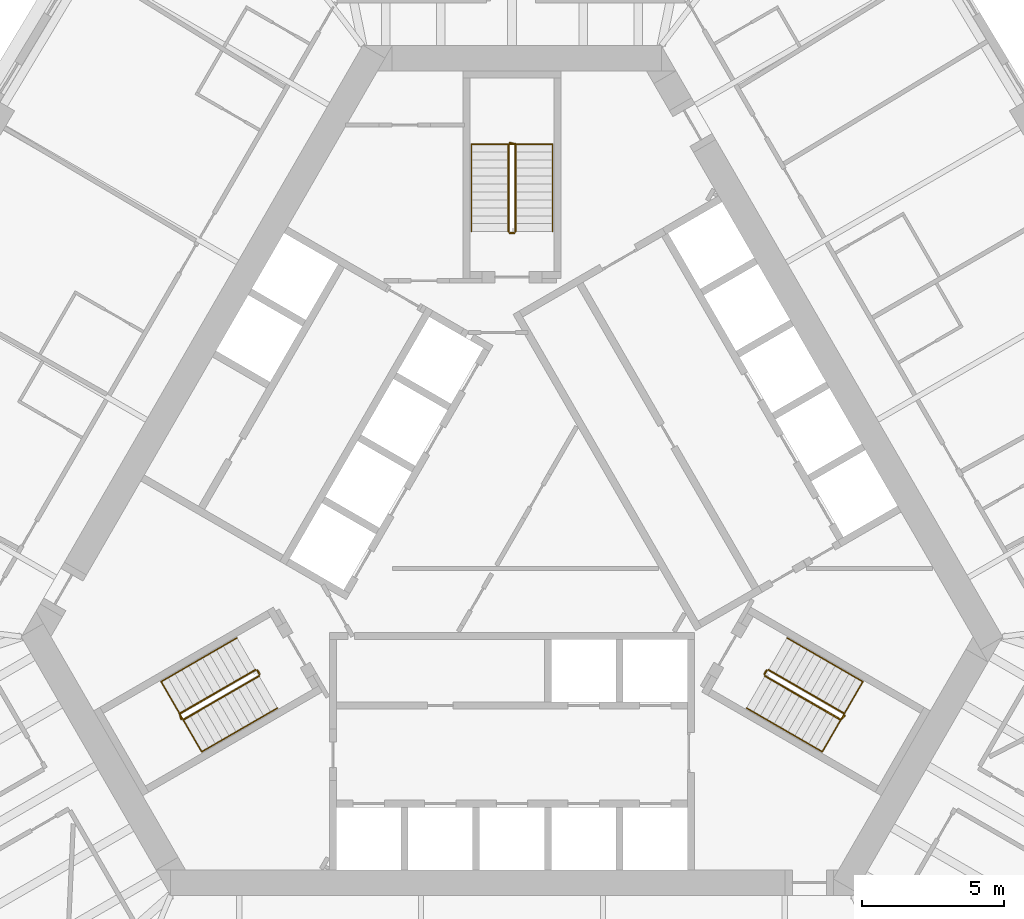
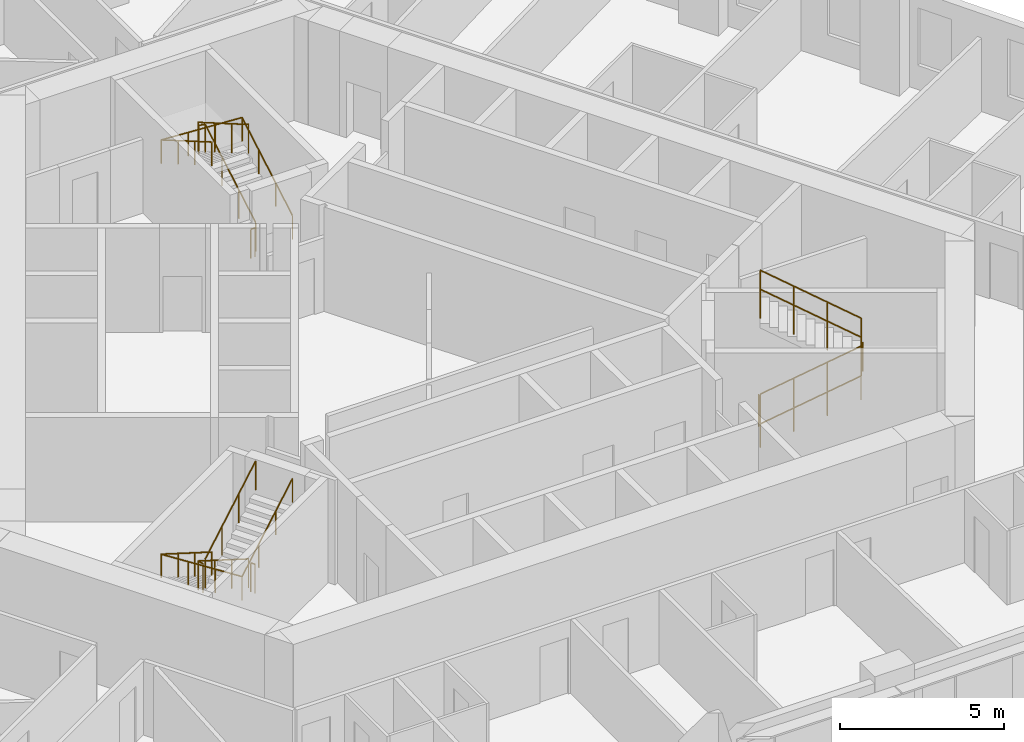
# One storey, part 13 of 13: 12 railings.
"""IFC4 building model written with IfcOpenShell, lengths in metres."""

from ifc_helpers import new_model, si_unit, direction, frame, origin, origin_2d, place, context, subcontext, project, spatial, circle, extrude, material, type_object, element, save


model = new_model("IFC4")

# Units and contexts
model_context = context("Model", 3, precision=1e-05, world=origin(), true_north=direction((0.0, 1.0)))
body_context = subcontext(model_context, "Body", "Model", "MODEL_VIEW")
ifc_project = project(units=[si_unit("LENGTHUNIT", "METRE"), si_unit("AREAUNIT", "SQUARE_METRE"), si_unit("VOLUMEUNIT", "CUBIC_METRE"), si_unit("PLANEANGLEUNIT", "RADIAN"), si_unit("MASSUNIT", "GRAM", prefix="KILO")], contexts=[model_context])

# Site, building, storey
site_placement = place(None, origin())
site = spatial("IfcSite", under=ifc_project, at=site_placement, CompositionType="ELEMENT")
building_placement = place(site_placement, origin())
building = spatial("IfcBuilding", under=site, at=building_placement, Name="Mestral Congress Tower", CompositionType="ELEMENT")
storey_placement = place(building_placement, frame((0.0, 0.0, 27.60009765625)))
storey = spatial("IfcBuildingStorey", under=building, at=storey_placement, Name="L05", CompositionType="ELEMENT", Elevation=27.60009765625)

# Railings
ifc_material_1 = material(Name="Steel balustrade", Category="steel")
railing_type_1 = type_object("IfcRailingType", Name="Stair guard 1100", PredefinedType="GUARDRAIL", material=ifc_material_1)
railing_1_placement = place(storey_placement, frame((8.90087890625, -5.283203125, 0.162353515625)))
element("IfcRailing", 1, at=railing_1_placement, inside=storey, type_object=railing_type_1, Name="L05 ST1 stair guard 1", PredefinedType="GUARDRAIL", context=body_context, shape_type="SweptSolid", body=[
    extrude(circle(Radius=0.02392578125, at=origin_2d()), frame((0.0, 0.0, 1.076171875), z_axis=(0.748993966903, -0.432462603499, 0.501980212875), x_axis=(0.500026652407, 0.866010015463, 0.0)), (0.0, 0.0, 1.0), 3.56103515625),
    extrude(circle(Radius=0.02392578125, at=origin_2d()), frame((2.667236328125, -1.5400390625, 2.86376953125), z_axis=(0.695164929852, 0.718850276695, 0.0), x_axis=(-0.718850276695, 0.695164929852, 0.0)), (0.0, 0.0, 1.0), 0.2060546875),
    extrude(circle(Radius=0.02099609375, at=origin_2d()), origin(), (0.0, 0.0, 1.0), 1.052001953125),
    extrude(circle(Radius=0.02099609375, at=origin_2d()), frame((0.88916015625, -0.513427734375, 0.595947265625)), (0.0, 0.0, 1.0), 1.052001953125),
    extrude(circle(Radius=0.02099609375, at=origin_2d()), frame((1.778076171875, -1.026611328125, 1.191650390625)), (0.0, 0.0, 1.0), 1.052001953125),
    extrude(circle(Radius=0.02099609375, at=origin_2d()), frame((2.667236328125, -1.5400390625, 1.78759765625)), (0.0, 0.0, 1.0), 1.052001953125),
    extrude(circle(Radius=0.02099609375, at=origin_2d()), frame((2.810546875, -1.391845703125, 1.78759765625)), (0.0, 0.0, 1.0), 1.052001953125),
])
railing_2_placement = place(storey_placement, frame((11.693115234375, -6.606689453125, 2.1123046875)))
element("IfcRailing", 2, at=railing_2_placement, inside=storey, type_object=railing_type_1, Name="L05 ST1 stair guard 2", PredefinedType="GUARDRAIL", context=body_context, shape_type="SweptSolid", body=[
    extrude(circle(Radius=0.02392578125, at=origin_2d()), frame((0.0, 0.0, 1.076171875), z_axis=(-0.748993966903, 0.432462603499, 0.501980212875), x_axis=(-0.500026652407, -0.866010015463, 0.0)), (0.0, 0.0, 1.0), 3.56103515625),
    extrude(circle(Radius=0.02099609375, at=origin_2d()), origin(), (0.0, 0.0, 1.0), 1.052001953125),
    extrude(circle(Radius=0.02099609375, at=origin_2d()), frame((-0.88916015625, 0.513427734375, 0.595947265625)), (0.0, 0.0, 1.0), 1.052001953125),
    extrude(circle(Radius=0.02099609375, at=origin_2d()), frame((-1.778076171875, 1.026611328125, 1.191650390625)), (0.0, 0.0, 1.0), 1.052001953125),
    extrude(circle(Radius=0.02099609375, at=origin_2d()), frame((-2.667236328125, 1.5400390625, 1.78759765625)), (0.0, 0.0, 1.0), 1.052001953125),
])
railing_3_placement = place(storey_placement, frame((8.882568359375, -5.21484375, 0.0)))
element("IfcRailing", 3, at=railing_3_placement, inside=storey, type_object=railing_type_1, Name="L05 ST1 stair guard 3", PredefinedType="GUARDRAIL", context=body_context, shape_type="SweptSolid", body=[
    extrude(circle(Radius=0.02392578125, at=origin_2d()), frame((0.0, 0.0, 1.076171875), z_axis=(0.499816412211, 0.866131372301, 0.0), x_axis=(-0.866131372301, 0.499816412211, 0.0)), (0.0, 0.0, 1.0), 0.14990234375),
    extrude(circle(Radius=0.02099609375, at=origin_2d()), origin(), (0.0, 0.0, 1.0), 1.052001953125),
    extrude(circle(Radius=0.02099609375, at=origin_2d()), frame((0.074951171875, 0.1298828125, 0.0)), (0.0, 0.0, 1.0), 1.052001953125),
])
railing_4_placement = place(storey_placement, frame((0.125, 10.35009765625, 0.162353515625)))
element("IfcRailing", 4, at=railing_4_placement, inside=storey, type_object=railing_type_1, Name="L05 ST2 stair guard 1", PredefinedType="GUARDRAIL", context=body_context, shape_type="SweptSolid", body=[
    extrude(circle(Radius=0.02392578125, at=origin_2d()), frame((0.0, 0.0, 1.076171875), z_axis=(0.0, 0.864873446163, 0.501989962173), x_axis=(-1.0, 0.0, 0.0)), (0.0, 0.0, 1.0), 3.56103515625),
    extrude(circle(Radius=0.02392578125, at=origin_2d()), frame((0.0, 3.079833984375, 2.86376953125), z_axis=(-0.970072785993, 0.242814311512, 0.0), x_axis=(-0.242814311512, -0.970072785993, 0.0)), (0.0, 0.0, 1.0), 0.2060546875),
    extrude(circle(Radius=0.02099609375, at=origin_2d()), origin(), (0.0, 0.0, 1.0), 1.052001953125),
    extrude(circle(Radius=0.02099609375, at=origin_2d()), frame((0.0, 1.026611328125, 0.595947265625)), (0.0, 0.0, 1.0), 1.052001953125),
    extrude(circle(Radius=0.02099609375, at=origin_2d()), frame((0.0, 2.05322265625, 1.191650390625)), (0.0, 0.0, 1.0), 1.052001953125),
    extrude(circle(Radius=0.02099609375, at=origin_2d()), frame((0.0, 3.079833984375, 1.78759765625)), (0.0, 0.0, 1.0), 1.052001953125),
    extrude(circle(Radius=0.02099609375, at=origin_2d()), frame((-0.199951171875, 3.1298828125, 1.78759765625)), (0.0, 0.0, 1.0), 1.052001953125),
])
railing_5_placement = place(storey_placement, frame((-0.125, 13.429931640625, 2.1123046875)))
element("IfcRailing", 5, at=railing_5_placement, inside=storey, type_object=railing_type_1, Name="L05 ST2 stair guard 2", PredefinedType="GUARDRAIL", context=body_context, shape_type="SweptSolid", body=[
    extrude(circle(Radius=0.02392578125, at=origin_2d()), frame((0.0, 0.0, 1.076171875), z_axis=(0.0, -0.864873446163, 0.501989962173), x_axis=(1.0, 0.0, 0.0)), (0.0, 0.0, 1.0), 3.56103515625),
    extrude(circle(Radius=0.02099609375, at=origin_2d()), origin(), (0.0, 0.0, 1.0), 1.052001953125),
    extrude(circle(Radius=0.02099609375, at=origin_2d()), frame((0.0, -1.026611328125, 0.595947265625)), (0.0, 0.0, 1.0), 1.052001953125),
    extrude(circle(Radius=0.02099609375, at=origin_2d()), frame((0.0, -2.05322265625, 1.191650390625)), (0.0, 0.0, 1.0), 1.052001953125),
    extrude(circle(Radius=0.02099609375, at=origin_2d()), frame((0.0, -3.079833984375, 1.78759765625)), (0.0, 0.0, 1.0), 1.052001953125),
])
railing_6_placement = place(storey_placement, frame((0.074951171875, 10.300048828125, 0.0)))
element("IfcRailing", 6, at=railing_6_placement, inside=storey, type_object=railing_type_1, Name="L05 ST2 stair guard 3", PredefinedType="GUARDRAIL", context=body_context, shape_type="SweptSolid", body=[
    extrude(circle(Radius=0.02392578125, at=origin_2d()), frame((0.0, 0.0, 1.076171875), z_axis=(-1.0, 0.0, 0.0), x_axis=(0.0, -1.0, 0.0)), (0.0, 0.0, 1.0), 0.14990234375),
    extrude(circle(Radius=0.02099609375, at=origin_2d()), origin(), (0.0, 0.0, 1.0), 1.052001953125),
    extrude(circle(Radius=0.02099609375, at=origin_2d()), frame((-0.14990234375, 0.0, 0.0)), (0.0, 0.0, 1.0), 1.052001953125),
])
railing_7_placement = place(storey_placement, frame((-9.02587890625, -5.066650390625, 0.162353515625)))
element("IfcRailing", 7, at=railing_7_placement, inside=storey, type_object=railing_type_1, Name="L05 ST3 stair guard 1", PredefinedType="GUARDRAIL", context=body_context, shape_type="SweptSolid", body=[
    extrude(circle(Radius=0.02392578125, at=origin_2d()), frame((0.0, 0.0, 1.076171875), z_axis=(-0.748993966903, -0.432462603499, 0.501980212875), x_axis=(0.500026652407, -0.866010015463, 0.0)), (0.0, 0.0, 1.0), 3.56103515625),
    extrude(circle(Radius=0.02392578125, at=origin_2d()), frame((-2.667236328125, -1.5400390625, 2.86376953125), z_axis=(0.274721127897, -0.961523947641, 0.0), x_axis=(0.961523947641, 0.274721127897, 0.0)), (0.0, 0.0, 1.0), 0.2060546875),
    extrude(circle(Radius=0.02099609375, at=origin_2d()), origin(), (0.0, 0.0, 1.0), 1.052001953125),
    extrude(circle(Radius=0.02099609375, at=origin_2d()), frame((-0.88916015625, -0.513427734375, 0.595947265625)), (0.0, 0.0, 1.0), 1.052001953125),
    extrude(circle(Radius=0.02099609375, at=origin_2d()), frame((-1.778076171875, -1.026611328125, 1.191650390625)), (0.0, 0.0, 1.0), 1.052001953125),
    extrude(circle(Radius=0.02099609375, at=origin_2d()), frame((-2.667236328125, -1.5400390625, 1.78759765625)), (0.0, 0.0, 1.0), 1.052001953125),
    extrude(circle(Radius=0.02099609375, at=origin_2d()), frame((-2.610595703125, -1.73828125, 1.78759765625)), (0.0, 0.0, 1.0), 1.052001953125),
])
railing_8_placement = place(storey_placement, frame((-11.568115234375, -6.8232421875, 2.1123046875)))
element("IfcRailing", 8, at=railing_8_placement, inside=storey, type_object=railing_type_1, Name="L05 ST3 stair guard 2", PredefinedType="GUARDRAIL", context=body_context, shape_type="SweptSolid", body=[
    extrude(circle(Radius=0.02392578125, at=origin_2d()), frame((0.0, 0.0, 1.076171875), z_axis=(0.748993966903, 0.432462603499, 0.501980212875), x_axis=(-0.500026652407, 0.866010015463, 0.0)), (0.0, 0.0, 1.0), 3.56103515625),
    extrude(circle(Radius=0.02099609375, at=origin_2d()), origin(), (0.0, 0.0, 1.0), 1.052001953125),
    extrude(circle(Radius=0.02099609375, at=origin_2d()), frame((0.88916015625, 0.513427734375, 0.595947265625)), (0.0, 0.0, 1.0), 1.052001953125),
    extrude(circle(Radius=0.02099609375, at=origin_2d()), frame((1.778076171875, 1.026611328125, 1.191650390625)), (0.0, 0.0, 1.0), 1.052001953125),
    extrude(circle(Radius=0.02099609375, at=origin_2d()), frame((2.667236328125, 1.5400390625, 1.78759765625)), (0.0, 0.0, 1.0), 1.052001953125),
])
railing_9_placement = place(storey_placement, frame((-8.95751953125, -5.0849609375, 0.0)))
element("IfcRailing", 9, at=railing_9_placement, inside=storey, type_object=railing_type_1, Name="L05 ST3 stair guard 3", PredefinedType="GUARDRAIL", context=body_context, shape_type="SweptSolid", body=[
    extrude(circle(Radius=0.02392578125, at=origin_2d()), frame((0.0, 0.0, 1.076171875), z_axis=(0.499816412211, -0.866131372301, 0.0), x_axis=(0.866131372301, 0.499816412211, 0.0)), (0.0, 0.0, 1.0), 0.14990234375),
    extrude(circle(Radius=0.02099609375, at=origin_2d()), origin(), (0.0, 0.0, 1.0), 1.052001953125),
    extrude(circle(Radius=0.02099609375, at=origin_2d()), frame((0.074951171875, -0.1298828125, 0.0)), (0.0, 0.0, 1.0), 1.052001953125),
])
ifc_material_2 = material(Name="Steel handrail", Category="steel")
railing_type_2 = type_object("IfcRailingType", Name="Stair handrail 900", PredefinedType="HANDRAIL", material=ifc_material_2)
railing_10_placement = place(storey_placement, frame((8.2509765625, -6.4091796875, 0.162353515625)))
element("IfcRailing", 10, at=railing_10_placement, inside=storey, type_object=railing_type_2, Name="L05 ST1 stair handrail 1", PredefinedType="HANDRAIL", context=body_context, shape_type="SweptSolid", body=[
    extrude(circle(Radius=0.02392578125, at=origin_2d()), frame((0.0, 0.0, 0.8759765625), z_axis=(0.749016172816, -0.432406865167, 0.50199509541), x_axis=(0.499967199496, 0.866044340336, 0.0)), (0.0, 0.0, 1.0), 3.56103515625),
    extrude(circle(Radius=0.02392578125, at=origin_2d()), frame((2.667236328125, -1.539794921875, 2.66357421875), z_axis=(0.499226936105, 0.864602552182, 0.056876120012), x_axis=(-0.866004402611, 0.500036373335, 0.0)), (0.0, 0.0, 1.0), 2.8544921875),
    extrude(circle(Radius=0.02392578125, at=origin_2d()), frame((4.09228515625, 0.92822265625, 2.82568359375), z_axis=(-0.74902406201, 0.432440397507, 0.501954437309), x_axis=(-0.499992328818, -0.866029832698, 0.0)), (0.0, 0.0, 1.0), 3.561279296875),
    extrude(circle(Radius=0.02099609375, at=origin_2d()), origin(), (0.0, 0.0, 1.0), 0.851806640625),
    extrude(circle(Radius=0.02099609375, at=origin_2d()), frame((0.88916015625, -0.51318359375, 0.595947265625)), (0.0, 0.0, 1.0), 0.851806640625),
    extrude(circle(Radius=0.02099609375, at=origin_2d()), frame((1.778076171875, -1.026611328125, 1.191650390625)), (0.0, 0.0, 1.0), 0.851806640625),
    extrude(circle(Radius=0.02099609375, at=origin_2d()), frame((2.667236328125, -1.539794921875, 1.78759765625)), (0.0, 0.0, 1.0), 0.851806640625),
    extrude(circle(Radius=0.02099609375, at=origin_2d()), frame((3.142333984375, -0.717041015625, 1.841796875)), (0.0, 0.0, 1.0), 0.851806640625),
    extrude(circle(Radius=0.02099609375, at=origin_2d()), frame((3.6171875, 0.10546875, 1.895751953125)), (0.0, 0.0, 1.0), 0.851806640625),
    extrude(circle(Radius=0.02099609375, at=origin_2d()), frame((4.09228515625, 0.92822265625, 1.949951171875)), (0.0, 0.0, 1.0), 0.851806640625),
    extrude(circle(Radius=0.02099609375, at=origin_2d()), frame((3.203125, 1.441650390625, 2.5458984375)), (0.0, 0.0, 1.0), 0.851806640625),
    extrude(circle(Radius=0.02099609375, at=origin_2d()), frame((2.31396484375, 1.954833984375, 3.1416015625)), (0.0, 0.0, 1.0), 0.851806640625),
    extrude(circle(Radius=0.02099609375, at=origin_2d()), frame((1.4248046875, 2.46826171875, 3.737548828125)), (0.0, 0.0, 1.0), 0.851806640625),
])
railing_11_placement = place(storey_placement, frame((1.425048828125, 10.35009765625, 0.162353515625)))
element("IfcRailing", 11, at=railing_11_placement, inside=storey, type_object=railing_type_2, Name="L05 ST2 stair handrail 1", PredefinedType="HANDRAIL", context=body_context, shape_type="SweptSolid", body=[
    extrude(circle(Radius=0.02392578125, at=origin_2d()), frame((0.0, 0.0, 0.8759765625), z_axis=(0.0, 0.864873446163, 0.501989962173), x_axis=(-1.0, 0.0, 0.0)), (0.0, 0.0, 1.0), 3.56103515625),
    extrude(circle(Radius=0.02392578125, at=origin_2d()), frame((0.0, 3.079833984375, 2.66357421875), z_axis=(-0.998381478221, 0.0, 0.056871996147), x_axis=(0.0, -1.0, 0.0)), (0.0, 0.0, 1.0), 2.854736328125),
    extrude(circle(Radius=0.02392578125, at=origin_2d()), frame((-2.85009765625, 3.079833984375, 2.82568359375), z_axis=(0.0, -0.864873446163, 0.501989962173), x_axis=(1.0, 0.0, 0.0)), (0.0, 0.0, 1.0), 3.56103515625),
    extrude(circle(Radius=0.02099609375, at=origin_2d()), origin(), (0.0, 0.0, 1.0), 0.851806640625),
    extrude(circle(Radius=0.02099609375, at=origin_2d()), frame((0.0, 1.026611328125, 0.595947265625)), (0.0, 0.0, 1.0), 0.851806640625),
    extrude(circle(Radius=0.02099609375, at=origin_2d()), frame((0.0, 2.05322265625, 1.191650390625)), (0.0, 0.0, 1.0), 0.851806640625),
    extrude(circle(Radius=0.02099609375, at=origin_2d()), frame((0.0, 3.079833984375, 1.78759765625)), (0.0, 0.0, 1.0), 0.851806640625),
    extrude(circle(Radius=0.02099609375, at=origin_2d()), frame((-0.949951171875, 3.079833984375, 1.841796875)), (0.0, 0.0, 1.0), 0.851806640625),
    extrude(circle(Radius=0.02099609375, at=origin_2d()), frame((-1.900146484375, 3.079833984375, 1.895751953125)), (0.0, 0.0, 1.0), 0.851806640625),
    extrude(circle(Radius=0.02099609375, at=origin_2d()), frame((-2.85009765625, 3.079833984375, 1.949951171875)), (0.0, 0.0, 1.0), 0.851806640625),
    extrude(circle(Radius=0.02099609375, at=origin_2d()), frame((-2.85009765625, 2.05322265625, 2.5458984375)), (0.0, 0.0, 1.0), 0.851806640625),
    extrude(circle(Radius=0.02099609375, at=origin_2d()), frame((-2.85009765625, 1.026611328125, 3.1416015625)), (0.0, 0.0, 1.0), 0.851806640625),
    extrude(circle(Radius=0.02099609375, at=origin_2d()), frame((-2.85009765625, 0.0, 3.737548828125)), (0.0, 0.0, 1.0), 0.851806640625),
])
railing_12_placement = place(storey_placement, frame((-9.67578125, -3.94091796875, 0.162353515625)))
element("IfcRailing", 12, at=railing_12_placement, inside=storey, type_object=railing_type_2, Name="L05 ST3 stair handrail 1", PredefinedType="HANDRAIL", context=body_context, shape_type="SweptSolid", body=[
    extrude(circle(Radius=0.02392578125, at=origin_2d()), frame((0.0, 0.0, 0.8759765625), z_axis=(-0.74902406201, -0.432440397507, 0.501954437309), x_axis=(0.499992328818, -0.866029832698, 0.0)), (0.0, 0.0, 1.0), 3.561279296875),
    extrude(circle(Radius=0.02392578125, at=origin_2d()), frame((-2.66748046875, -1.5400390625, 2.66357421875), z_axis=(0.499226936105, -0.864602552182, 0.056876120012), x_axis=(0.866004402611, 0.500036373335, 0.0)), (0.0, 0.0, 1.0), 2.8544921875),
    extrude(circle(Radius=0.02392578125, at=origin_2d()), frame((-1.242431640625, -4.008056640625, 2.82568359375), z_axis=(0.749016172816, 0.432406865167, 0.50199509541), x_axis=(-0.499967199496, 0.866044340336, 0.0)), (0.0, 0.0, 1.0), 3.56103515625),
    extrude(circle(Radius=0.02099609375, at=origin_2d()), origin(), (0.0, 0.0, 1.0), 0.851806640625),
    extrude(circle(Radius=0.02099609375, at=origin_2d()), frame((-0.88916015625, -0.513427734375, 0.595947265625)), (0.0, 0.0, 1.0), 0.851806640625),
    extrude(circle(Radius=0.02099609375, at=origin_2d()), frame((-1.7783203125, -1.026611328125, 1.191650390625)), (0.0, 0.0, 1.0), 0.851806640625),
    extrude(circle(Radius=0.02099609375, at=origin_2d()), frame((-2.66748046875, -1.5400390625, 1.78759765625)), (0.0, 0.0, 1.0), 0.851806640625),
    extrude(circle(Radius=0.02099609375, at=origin_2d()), frame((-2.1923828125, -2.36279296875, 1.841796875)), (0.0, 0.0, 1.0), 0.851806640625),
    extrude(circle(Radius=0.02099609375, at=origin_2d()), frame((-1.717529296875, -3.185302734375, 1.895751953125)), (0.0, 0.0, 1.0), 0.851806640625),
    extrude(circle(Radius=0.02099609375, at=origin_2d()), frame((-1.242431640625, -4.008056640625, 1.949951171875)), (0.0, 0.0, 1.0), 0.851806640625),
    extrude(circle(Radius=0.02099609375, at=origin_2d()), frame((-0.353271484375, -3.494873046875, 2.5458984375)), (0.0, 0.0, 1.0), 0.851806640625),
    extrude(circle(Radius=0.02099609375, at=origin_2d()), frame((0.53564453125, -2.9814453125, 3.1416015625)), (0.0, 0.0, 1.0), 0.851806640625),
    extrude(circle(Radius=0.02099609375, at=origin_2d()), frame((1.4248046875, -2.46826171875, 3.737548828125)), (0.0, 0.0, 1.0), 0.851806640625),
])

save(model, "model.ifc")
